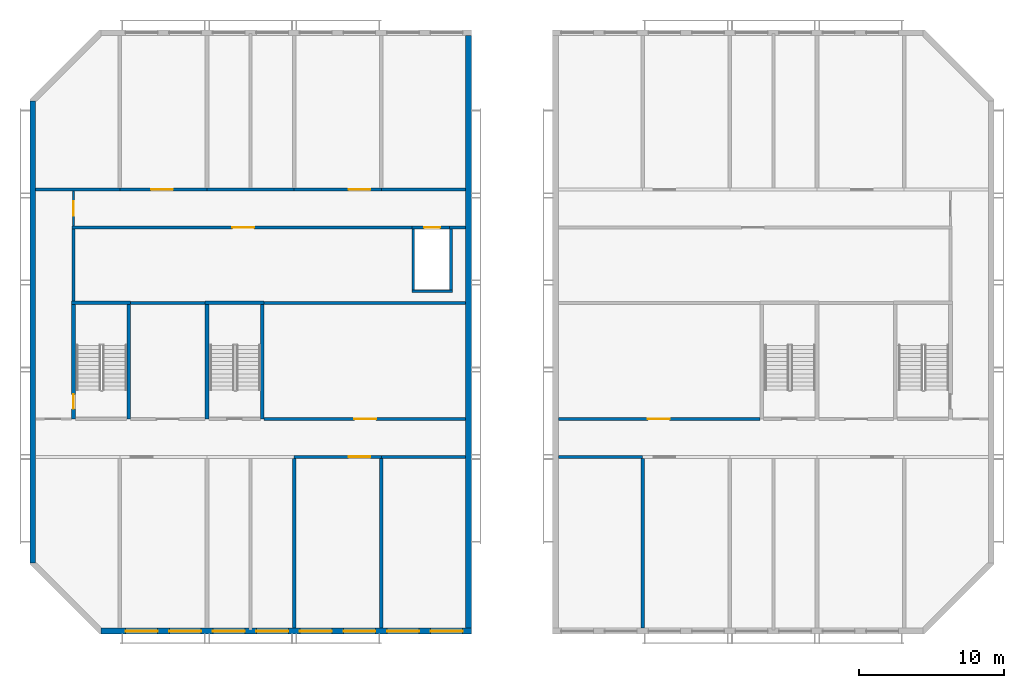
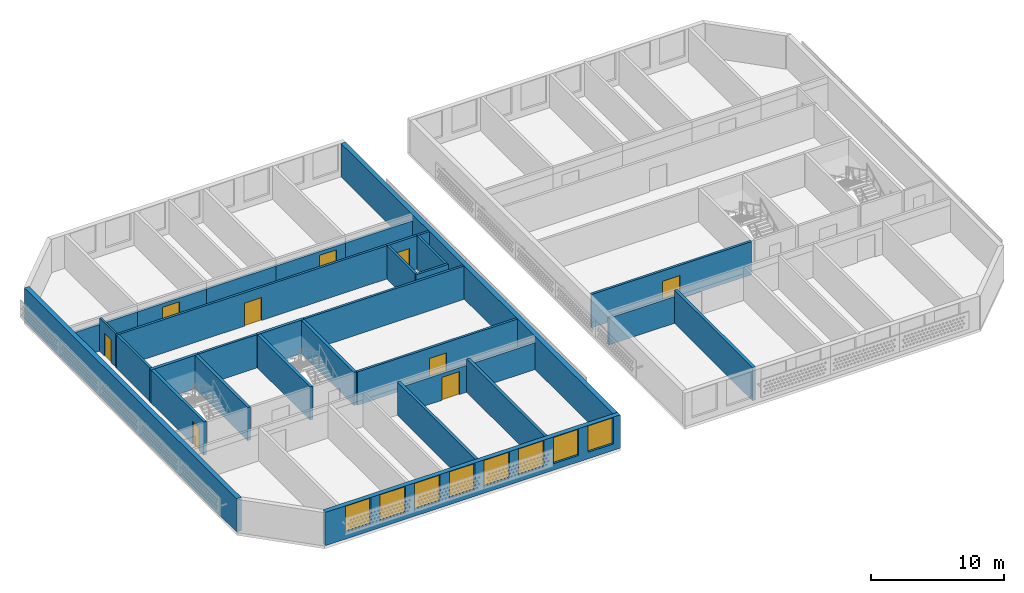
# One storey, part 2 of 18: 32 walls, 9 doors, 8 windows, 17 openings.
"""IFC4 building model written with IfcOpenShell, lengths in metres."""

from ifc_helpers import new_model, si_unit, direction, frame, frame_2d, origin, place, context, subcontext, project, spatial, rectangle, extrude, material, layer, layer_set, type_object, element, fill, save


model = new_model("IFC4")

# Units and contexts
model_context = context("Model", 3, precision=1e-05, world=origin(), true_north=direction((0.0, 1.0)))
body_context = subcontext(model_context, "Body", "Model", "MODEL_VIEW")
ifc_project = project(units=[si_unit("LENGTHUNIT", "METRE"), si_unit("AREAUNIT", "SQUARE_METRE"), si_unit("VOLUMEUNIT", "CUBIC_METRE"), si_unit("PLANEANGLEUNIT", "RADIAN"), si_unit("MASSUNIT", "GRAM", prefix="KILO")], contexts=[model_context])

# Site, building, storey
site_placement = place(None, origin())
site = spatial("IfcSite", under=ifc_project, at=site_placement, CompositionType="ELEMENT")
building_placement = place(site_placement, origin())
building = spatial("IfcBuilding", under=site, at=building_placement, Name="Poui Terraces", CompositionType="ELEMENT")
storey_placement = place(building_placement, frame((0.0, 0.0, 275.699951171875)))
storey = spatial("IfcBuildingStorey", under=building, at=storey_placement, Name="L76 CROWN", CompositionType="ELEMENT", Elevation=275.699951171875)

# Wall, opening, door
ifc_material_1 = material(Name="Fire-rated plasterboard wall")
ifc_layer_1 = layer(ifc_material_1, 0.14990234375)
ifc_layer_set_1 = layer_set([ifc_layer_1], Name="Fire-rated plasterboard wall")
wall_type_1 = type_object("IfcWallType", Name="CORRIDOR WALL 150", PredefinedType="PARTITIONING", material=ifc_layer_set_1)
wall_1_placement = place(storey_placement, frame((20.800048828125, 27.89990234375, 0.0), z_axis=(0.0, 0.0, 1.0), x_axis=(0.0, 1.0, 0.0)))
wall_1 = element("IfcWall", 1, at=wall_1_placement, inside=storey, type_object=wall_type_1, Name="CORRIDOR WALL 150", PredefinedType="PARTITIONING", context=body_context, shape_type="SweptSolid", body=[
    extrude(rectangle(XDim=2.39013671875, YDim=0.14990234375, at=frame_2d((1.195068359375, 0.0))), origin(), (0.0, 0.0, 1.0), 3.050048828125),
])
opening_1_placement = place(wall_1_placement, frame((0.699951171875, 0.0, 0.0)))
opening_1 = element("IfcOpeningElement", 2, at=opening_1_placement, cuts=wall_1, Name="Opening FDL", PredefinedType="OPENING", context=body_context, shape_type="SweptSolid", body=[
    extrude(rectangle(XDim=1.0, YDim=2.10009765625, at=frame_2d((0.5, 1.050048828125))), frame((0.0, 0.0849609375, 0.0), z_axis=(0.0, -1.0, 0.0), x_axis=(1.0, 0.0, 0.0)), (0.0, 0.0, 1.0), 0.169921875),
])
ifc_material_2 = material(Name="Steel fire door", Category="steel")
door_type_1 = type_object("IfcDoorType", Name="LOBBY FIRE DOOR 1000 X 2100", OperationType="NOTDEFINED", PredefinedType="DOOR", material=ifc_material_2)
door_1_placement = place(opening_1_placement, origin())
door_1 = element("IfcDoor", 3, at=door_1_placement, inside=storey, type_object=door_type_1, Name="LOBBY FIRE DOOR 022", OperationType="SINGLE_SWING_LEFT", OverallHeight=2.10009765625, OverallWidth=1.0, PredefinedType="DOOR", context=body_context, shape_type="SweptSolid", body=[
    extrude(rectangle(XDim=1.0, YDim=2.10009765625, at=frame_2d((0.5, 1.050048828125))), frame((0.0, 0.02490234375, 0.0), z_axis=(0.0, -1.0, 0.0), x_axis=(1.0, 0.0, 0.0)), (0.0, 0.0, 1.0), 0.050048828125),
])
fill(opening_1, door_1)

ifc_material_3 = material(Name="Concrete 50 MPa", Category="concrete")
ifc_layer_2 = layer(ifc_material_3, 0.199951171875)
ifc_layer_set_2 = layer_set([ifc_layer_2], Name="Concrete 50 MPa")
wall_type_2 = type_object("IfcWallType", Name="CORRIDOR WALL 200 50MPa", PredefinedType="SHEAR", material=ifc_layer_set_2)
wall_2_placement = place(storey_placement, frame((36.0, 12.0, 0.0), z_axis=(0.0, 0.0, 1.0), x_axis=(1.0, 0.0, 0.0)))
wall_2 = element("IfcWall", 4, at=wall_2_placement, inside=storey, type_object=wall_type_2, Name="CORRIDOR WALL LINE B BAY W4", PredefinedType="SHEAR", context=body_context, shape_type="SweptSolid", body=[
    extrude(rectangle(XDim=6.0, YDim=0.199951171875, at=frame_2d((3.0, 0.0))), origin(), (0.0, 0.0, 1.0), 2.449951171875),
])
opening_2_placement = place(wall_2_placement, frame((3.75, 0.0, 0.0)))
opening_2 = element("IfcOpeningElement", 5, at=opening_2_placement, cuts=wall_2, Name="Opening FDP", PredefinedType="OPENING", context=body_context, shape_type="SweptSolid", body=[
    extrude(rectangle(XDim=1.5, YDim=2.10009765625, at=frame_2d((0.75, 1.050048828125))), frame((0.0, 0.10986328125, 0.0), z_axis=(0.0, -1.0, 0.0), x_axis=(1.0, 0.0, 0.0)), (0.0, 0.0, 1.0), 0.219970703125),
])
door_type_2 = type_object("IfcDoorType", Name="PLANT ROOM DOOR PAIR 1500 X 2100", OperationType="DOUBLE_DOOR_SINGLE_SWING", PredefinedType="DOOR", material=ifc_material_2)
door_2_placement = place(opening_2_placement, origin())
door_2 = element("IfcDoor", 6, at=door_2_placement, inside=storey, type_object=door_type_2, Name="PLANT ROOM DOOR PAIR 018", OperationType="DOUBLE_DOOR_SINGLE_SWING", OverallHeight=2.10009765625, OverallWidth=1.5, PredefinedType="DOOR", context=body_context, shape_type="SweptSolid", body=[
    extrude(rectangle(XDim=1.5, YDim=2.10009765625, at=frame_2d((0.75, 1.050048828125))), frame((0.0, 0.02490234375, 0.0), z_axis=(0.0, -1.0, 0.0), x_axis=(1.0, 0.0, 0.0)), (0.0, 0.0, 1.0), 0.050048828125),
])
fill(opening_2, door_2)

# Walls
for number, where, z_axis, x_axis, name in (
    (7, (42.0, 12.0, 0.0), (0.0, 0.0, 1.0), (1.0, 0.0, 0.0), "CORRIDOR WALL LINE B BAY W5"),
    (8, (18.199951171875, 30.39990234375, 0.0), (0.0, 0.0, 1.0), (1.0, 0.0, 0.0), "CORRIDOR WALL LINE E BAY W1"),
):
    element("IfcWall", number, at=place(storey_placement, frame(where, z_axis=z_axis, x_axis=x_axis)), inside=storey, type_object=wall_type_2, Name=name, PredefinedType="SHEAR", context=body_context, shape_type="SweptSolid", body=[
        extrude(rectangle(XDim=5.800048828125, YDim=0.199951171875, at=frame_2d((2.89990234375, 0.0))), origin(), (0.0, 0.0, 1.0), 2.449951171875),
    ])

# Wall, opening, door
wall_3_placement = place(storey_placement, frame((24.0, 30.39990234375, 0.0), z_axis=(0.0, 0.0, 1.0), x_axis=(1.0, 0.0, 0.0)))
wall_3 = element("IfcWall", 9, at=wall_3_placement, inside=storey, type_object=wall_type_2, Name="CORRIDOR WALL LINE E BAY W2", PredefinedType="SHEAR", context=body_context, shape_type="SweptSolid", body=[
    extrude(rectangle(XDim=6.0, YDim=0.199951171875, at=frame_2d((3.0, 0.0))), origin(), (0.0, 0.0, 1.0), 2.449951171875),
])
opening_3_placement = place(wall_3_placement, frame((2.14990234375, 0.0, 0.0)))
opening_3 = element("IfcOpeningElement", 10, at=opening_3_placement, cuts=wall_3, Name="Opening FDP", PredefinedType="OPENING", context=body_context, shape_type="SweptSolid", body=[
    extrude(rectangle(XDim=1.5, YDim=2.10009765625, at=frame_2d((0.75, 1.050048828125))), frame((0.0, 0.10986328125, 0.0), z_axis=(0.0, -1.0, 0.0), x_axis=(1.0, 0.0, 0.0)), (0.0, 0.0, 1.0), 0.219970703125),
])
door_3_placement = place(opening_3_placement, frame((1.5, 0.0, 0.0), z_axis=(0.0, 0.0, 1.0), x_axis=(-1.0, 0.0, 0.0)))
door_3 = element("IfcDoor", 11, at=door_3_placement, inside=storey, type_object=door_type_2, Name="PLANT ROOM DOOR PAIR 012", OperationType="DOUBLE_DOOR_SINGLE_SWING", OverallHeight=2.10009765625, OverallWidth=1.5, PredefinedType="DOOR", context=body_context, shape_type="SweptSolid", body=[
    extrude(rectangle(XDim=1.5, YDim=2.10009765625, at=frame_2d((0.75, 1.050048828125))), frame((0.0, 0.02490234375, 0.0), z_axis=(0.0, -1.0, 0.0), x_axis=(1.0, 0.0, 0.0)), (0.0, 0.0, 1.0), 0.050048828125),
])
fill(opening_3, door_3)

# Wall
wall_4_placement = place(storey_placement, frame((30.0, 30.39990234375, 0.0), z_axis=(0.0, 0.0, 1.0), x_axis=(1.0, 0.0, 0.0)))
element("IfcWall", 12, at=wall_4_placement, inside=storey, type_object=wall_type_2, Name="CORRIDOR WALL LINE E BAY W3", PredefinedType="SHEAR", context=body_context, shape_type="SweptSolid", body=[
    extrude(rectangle(XDim=6.0, YDim=0.199951171875, at=frame_2d((3.0, 0.0))), origin(), (0.0, 0.0, 1.0), 2.449951171875),
])

# Wall, opening, door
wall_5_placement = place(storey_placement, frame((36.0, 30.39990234375, 0.0), z_axis=(0.0, 0.0, 1.0), x_axis=(1.0, 0.0, 0.0)))
wall_5 = element("IfcWall", 13, at=wall_5_placement, inside=storey, type_object=wall_type_2, Name="CORRIDOR WALL LINE E BAY W4", PredefinedType="SHEAR", context=body_context, shape_type="SweptSolid", body=[
    extrude(rectangle(XDim=6.0, YDim=0.199951171875, at=frame_2d((3.0, 0.0))), origin(), (0.0, 0.0, 1.0), 2.449951171875),
])
opening_4_placement = place(wall_5_placement, frame((3.75, 0.0, 0.0)))
opening_4 = element("IfcOpeningElement", 14, at=opening_4_placement, cuts=wall_5, Name="Opening FDP", PredefinedType="OPENING", context=body_context, shape_type="SweptSolid", body=[
    extrude(rectangle(XDim=1.5, YDim=2.10009765625, at=frame_2d((0.75, 1.050048828125))), frame((0.0, 0.10986328125, 0.0), z_axis=(0.0, -1.0, 0.0), x_axis=(1.0, 0.0, 0.0)), (0.0, 0.0, 1.0), 0.219970703125),
])
door_4_placement = place(opening_4_placement, frame((1.5, 0.0, 0.0), z_axis=(0.0, 0.0, 1.0), x_axis=(-1.0, 0.0, 0.0)))
door_4 = element("IfcDoor", 15, at=door_4_placement, inside=storey, type_object=door_type_2, Name="PLANT ROOM DOOR PAIR 014", OperationType="DOUBLE_DOOR_SINGLE_SWING", OverallHeight=2.10009765625, OverallWidth=1.5, PredefinedType="DOOR", context=body_context, shape_type="SweptSolid", body=[
    extrude(rectangle(XDim=1.5, YDim=2.10009765625, at=frame_2d((0.75, 1.050048828125))), frame((0.0, 0.02490234375, 0.0), z_axis=(0.0, -1.0, 0.0), x_axis=(1.0, 0.0, 0.0)), (0.0, 0.0, 1.0), 0.050048828125),
])
fill(opening_4, door_4)

# Walls
for number, where, z_axis, x_axis, name in (
    (16, (42.0, 30.39990234375, 0.0), (0.0, 0.0, 1.0), (1.0, 0.0, 0.0), "CORRIDOR WALL LINE E BAY W5"),
    (17, (54.199951171875, 12.0, 0.0), (0.0, 0.0, 1.0), (1.0, 0.0, 0.0), "CORRIDOR WALL LINE B BAY E1"),
):
    element("IfcWall", number, at=place(storey_placement, frame(where, z_axis=z_axis, x_axis=x_axis)), inside=storey, type_object=wall_type_2, Name=name, PredefinedType="SHEAR", context=body_context, shape_type="SweptSolid", body=[
        extrude(rectangle(XDim=5.800048828125, YDim=0.199951171875, at=frame_2d((2.89990234375, 0.0))), origin(), (0.0, 0.0, 1.0), 2.449951171875),
    ])
ifc_layer_3 = layer(ifc_material_3, 0.25)
ifc_layer_set_3 = layer_set([ifc_layer_3], Name="Concrete 50 MPa")
wall_type_3 = type_object("IfcWallType", Name="CROSS WALL 250 50MPa", PredefinedType="SHEAR", material=ifc_layer_set_3)
for number, where, z_axis, x_axis, name in (
    (18, (36.0, 0.199951171875, 0.0), (0.0, 0.0, 1.0), (0.0, 1.0, 0.0), "CROSS WALL LINE 7 SOUTH"),
    (19, (42.0, 0.199951171875, 0.0), (0.0, 0.0, 1.0), (0.0, 1.0, 0.0), "CROSS WALL LINE 8 SOUTH"),
    (20, (60.0, 0.199951171875, 0.0), (0.0, 0.0, 1.0), (0.0, 1.0, 0.0), "CROSS WALL LINE 11 SOUTH"),
):
    element("IfcWall", number, at=place(storey_placement, frame(where, z_axis=z_axis, x_axis=x_axis)), inside=storey, type_object=wall_type_3, Name=name, PredefinedType="SHEAR", context=body_context, shape_type="SweptSolid", body=[
        extrude(rectangle(XDim=11.699951171875, YDim=0.25, at=frame_2d((5.85009765625, 0.0))), origin(), (0.0, 0.0, 1.0), 3.050048828125),
    ])
ifc_layer_4 = layer(ifc_material_3, 0.39990234375)
ifc_layer_set_4 = layer_set([ifc_layer_4], Name="Concrete 50 MPa")
wall_type_4 = type_object("IfcWallType", Name="END WALL 400 50MPa", PredefinedType="SHEAR", material=ifc_layer_set_4)
wall_6_placement = place(storey_placement, frame((18.0, 4.682861328125, 0.0), z_axis=(0.0, 0.0, 1.0), x_axis=(0.0, 1.0, 0.0)))
element("IfcWall", 21, at=wall_6_placement, inside=storey, type_object=wall_type_4, Name="END WALL LINE 4", PredefinedType="SHEAR", context=body_context, shape_type="SweptSolid", body=[
    extrude(rectangle(XDim=31.834228515625, YDim=0.39990234375, at=frame_2d((15.9169921875, 0.0))), origin(), (0.0, 0.0, 1.0), 3.050048828125),
])
wall_7_placement = place(storey_placement, frame((48.0, 0.199951171875, 0.0), z_axis=(0.0, 0.0, 1.0), x_axis=(0.0, 1.0, 0.0)))
element("IfcWall", 22, at=wall_7_placement, inside=storey, type_object=wall_type_4, Name="END WALL LINE 9", PredefinedType="SHEAR", context=body_context, shape_type="SweptSolid", body=[
    extrude(rectangle(XDim=40.800048828125, YDim=0.39990234375, at=frame_2d((20.39990234375, 0.0))), origin(), (0.0, 0.0, 1.0), 3.050048828125),
])

# Wall, openings, windows
ifc_material_4 = material(Name="Precast concrete 40 MPa", Category="concrete")
ifc_layer_5 = layer(ifc_material_4, 0.39990234375)
ifc_layer_set_5 = layer_set([ifc_layer_5], Name="Precast concrete 40 MPa")
wall_type_5 = type_object("IfcWallType", Name="EXTERNAL WALL 400", PredefinedType="STANDARD", material=ifc_layer_set_5)
wall_8_placement = place(storey_placement, frame((22.682861328125, 0.0, 0.0), z_axis=(0.0, 0.0, 1.0), x_axis=(1.0, 0.0, 0.0)))
wall_8 = element("IfcWall", 23, at=wall_8_placement, inside=storey, type_object=wall_type_5, Name="EXTERNAL WALL S", PredefinedType="STANDARD", context=body_context, shape_type="SweptSolid", body=[
    extrude(rectangle(XDim=25.51708984375, YDim=0.39990234375, at=frame_2d((12.758544921875, 0.0))), origin(), (0.0, 0.0, 1.0), 3.050048828125),
])
opening_5_placement = place(wall_8_placement, frame((1.71728515625, 0.0, 0.60009765625)))
opening_5 = element("IfcOpeningElement", 24, at=opening_5_placement, cuts=wall_8, Name="Opening W5", PredefinedType="OPENING", context=body_context, shape_type="SweptSolid", body=[
    extrude(rectangle(XDim=2.199951171875, YDim=2.39990234375, at=frame_2d((1.10009765625, 1.199951171875))), frame((0.0, 0.2099609375, 0.0), z_axis=(0.0, -1.0, 0.0), x_axis=(1.0, 0.0, 0.0)), (0.0, 0.0, 1.0), 0.419921875),
])
opening_6_placement = place(wall_8_placement, frame((4.71728515625, 0.0, 0.60009765625)))
opening_6 = element("IfcOpeningElement", 25, at=opening_6_placement, cuts=wall_8, Name="Opening W5", PredefinedType="OPENING", context=body_context, shape_type="SweptSolid", body=[
    extrude(rectangle(XDim=2.199951171875, YDim=2.39990234375, at=frame_2d((1.10009765625, 1.199951171875))), frame((0.0, 0.2099609375, 0.0), z_axis=(0.0, -1.0, 0.0), x_axis=(1.0, 0.0, 0.0)), (0.0, 0.0, 1.0), 0.419921875),
])
opening_7_placement = place(wall_8_placement, frame((7.71728515625, 0.0, 0.60009765625)))
opening_7 = element("IfcOpeningElement", 26, at=opening_7_placement, cuts=wall_8, Name="Opening W5", PredefinedType="OPENING", context=body_context, shape_type="SweptSolid", body=[
    extrude(rectangle(XDim=2.199951171875, YDim=2.39990234375, at=frame_2d((1.10009765625, 1.199951171875))), frame((0.0, 0.2099609375, 0.0), z_axis=(0.0, -1.0, 0.0), x_axis=(1.0, 0.0, 0.0)), (0.0, 0.0, 1.0), 0.419921875),
])
opening_8_placement = place(wall_8_placement, frame((10.71728515625, 0.0, 0.60009765625)))
opening_8 = element("IfcOpeningElement", 27, at=opening_8_placement, cuts=wall_8, Name="Opening W5", PredefinedType="OPENING", context=body_context, shape_type="SweptSolid", body=[
    extrude(rectangle(XDim=2.199951171875, YDim=2.39990234375, at=frame_2d((1.10009765625, 1.199951171875))), frame((0.0, 0.2099609375, 0.0), z_axis=(0.0, -1.0, 0.0), x_axis=(1.0, 0.0, 0.0)), (0.0, 0.0, 1.0), 0.419921875),
])
opening_9_placement = place(wall_8_placement, frame((13.71728515625, 0.0, 0.60009765625)))
opening_9 = element("IfcOpeningElement", 28, at=opening_9_placement, cuts=wall_8, Name="Opening W5", PredefinedType="OPENING", context=body_context, shape_type="SweptSolid", body=[
    extrude(rectangle(XDim=2.199951171875, YDim=2.39990234375, at=frame_2d((1.10009765625, 1.199951171875))), frame((0.0, 0.2099609375, 0.0), z_axis=(0.0, -1.0, 0.0), x_axis=(1.0, 0.0, 0.0)), (0.0, 0.0, 1.0), 0.419921875),
])
opening_10_placement = place(wall_8_placement, frame((16.71728515625, 0.0, 0.60009765625)))
opening_10 = element("IfcOpeningElement", 29, at=opening_10_placement, cuts=wall_8, Name="Opening W5", PredefinedType="OPENING", context=body_context, shape_type="SweptSolid", body=[
    extrude(rectangle(XDim=2.199951171875, YDim=2.39990234375, at=frame_2d((1.10009765625, 1.199951171875))), frame((0.0, 0.2099609375, 0.0), z_axis=(0.0, -1.0, 0.0), x_axis=(1.0, 0.0, 0.0)), (0.0, 0.0, 1.0), 0.419921875),
])
opening_11_placement = place(wall_8_placement, frame((19.71728515625, 0.0, 0.60009765625)))
opening_11 = element("IfcOpeningElement", 30, at=opening_11_placement, cuts=wall_8, Name="Opening W5", PredefinedType="OPENING", context=body_context, shape_type="SweptSolid", body=[
    extrude(rectangle(XDim=2.199951171875, YDim=2.39990234375, at=frame_2d((1.10009765625, 1.199951171875))), frame((0.0, 0.2099609375, 0.0), z_axis=(0.0, -1.0, 0.0), x_axis=(1.0, 0.0, 0.0)), (0.0, 0.0, 1.0), 0.419921875),
])
opening_12_placement = place(wall_8_placement, frame((22.71728515625, 0.0, 0.60009765625)))
opening_12 = element("IfcOpeningElement", 31, at=opening_12_placement, cuts=wall_8, Name="Opening W5", PredefinedType="OPENING", context=body_context, shape_type="SweptSolid", body=[
    extrude(rectangle(XDim=2.199951171875, YDim=2.39990234375, at=frame_2d((1.10009765625, 1.199951171875))), frame((0.0, 0.2099609375, 0.0), z_axis=(0.0, -1.0, 0.0), x_axis=(1.0, 0.0, 0.0)), (0.0, 0.0, 1.0), 0.419921875),
])
ifc_material_5 = material(Name="Clear glass in aluminium frame", Category="aluminium")
window_type = type_object("IfcWindowType", Name="WINDOW 2200X2400", PartitioningType="TRIPLE_PANEL_HORIZONTAL", PredefinedType="WINDOW", material=ifc_material_5)
window_1_placement = place(opening_5_placement, origin())
window_1 = element("IfcWindow", 32, at=window_1_placement, inside=storey, type_object=window_type, Name="W5 WINDOW", OverallHeight=2.39990234375, OverallWidth=2.199951171875, PartitioningType="TRIPLE_PANEL_HORIZONTAL", PredefinedType="WINDOW", context=body_context, shape_type="SweptSolid", body=[
    extrude(rectangle(XDim=2.199951171875, YDim=2.39990234375, at=frame_2d((1.10009765625, 1.199951171875))), frame((0.0, 0.030029296875, 0.0), z_axis=(0.0, -1.0, 0.0), x_axis=(1.0, 0.0, 0.0)), (0.0, 0.0, 1.0), 0.06005859375),
])
fill(opening_5, window_1)
window_2_placement = place(opening_6_placement, origin())
window_2 = element("IfcWindow", 33, at=window_2_placement, inside=storey, type_object=window_type, Name="W5 WINDOW", OverallHeight=2.39990234375, OverallWidth=2.199951171875, PartitioningType="TRIPLE_PANEL_HORIZONTAL", PredefinedType="WINDOW", context=body_context, shape_type="SweptSolid", body=[
    extrude(rectangle(XDim=2.199951171875, YDim=2.39990234375, at=frame_2d((1.10009765625, 1.199951171875))), frame((0.0, 0.030029296875, 0.0), z_axis=(0.0, -1.0, 0.0), x_axis=(1.0, 0.0, 0.0)), (0.0, 0.0, 1.0), 0.06005859375),
])
fill(opening_6, window_2)
window_3_placement = place(opening_7_placement, origin())
window_3 = element("IfcWindow", 34, at=window_3_placement, inside=storey, type_object=window_type, Name="W5 WINDOW", OverallHeight=2.39990234375, OverallWidth=2.199951171875, PartitioningType="TRIPLE_PANEL_HORIZONTAL", PredefinedType="WINDOW", context=body_context, shape_type="SweptSolid", body=[
    extrude(rectangle(XDim=2.199951171875, YDim=2.39990234375, at=frame_2d((1.10009765625, 1.199951171875))), frame((0.0, 0.030029296875, 0.0), z_axis=(0.0, -1.0, 0.0), x_axis=(1.0, 0.0, 0.0)), (0.0, 0.0, 1.0), 0.06005859375),
])
fill(opening_7, window_3)
window_4_placement = place(opening_8_placement, origin())
window_4 = element("IfcWindow", 35, at=window_4_placement, inside=storey, type_object=window_type, Name="W5 WINDOW", OverallHeight=2.39990234375, OverallWidth=2.199951171875, PartitioningType="TRIPLE_PANEL_HORIZONTAL", PredefinedType="WINDOW", context=body_context, shape_type="SweptSolid", body=[
    extrude(rectangle(XDim=2.199951171875, YDim=2.39990234375, at=frame_2d((1.10009765625, 1.199951171875))), frame((0.0, 0.030029296875, 0.0), z_axis=(0.0, -1.0, 0.0), x_axis=(1.0, 0.0, 0.0)), (0.0, 0.0, 1.0), 0.06005859375),
])
fill(opening_8, window_4)
window_5_placement = place(opening_9_placement, origin())
window_5 = element("IfcWindow", 36, at=window_5_placement, inside=storey, type_object=window_type, Name="W5 WINDOW", OverallHeight=2.39990234375, OverallWidth=2.199951171875, PartitioningType="TRIPLE_PANEL_HORIZONTAL", PredefinedType="WINDOW", context=body_context, shape_type="SweptSolid", body=[
    extrude(rectangle(XDim=2.199951171875, YDim=2.39990234375, at=frame_2d((1.10009765625, 1.199951171875))), frame((0.0, 0.030029296875, 0.0), z_axis=(0.0, -1.0, 0.0), x_axis=(1.0, 0.0, 0.0)), (0.0, 0.0, 1.0), 0.06005859375),
])
fill(opening_9, window_5)
window_6_placement = place(opening_10_placement, origin())
window_6 = element("IfcWindow", 37, at=window_6_placement, inside=storey, type_object=window_type, Name="W5 WINDOW", OverallHeight=2.39990234375, OverallWidth=2.199951171875, PartitioningType="TRIPLE_PANEL_HORIZONTAL", PredefinedType="WINDOW", context=body_context, shape_type="SweptSolid", body=[
    extrude(rectangle(XDim=2.199951171875, YDim=2.39990234375, at=frame_2d((1.10009765625, 1.199951171875))), frame((0.0, 0.030029296875, 0.0), z_axis=(0.0, -1.0, 0.0), x_axis=(1.0, 0.0, 0.0)), (0.0, 0.0, 1.0), 0.06005859375),
])
fill(opening_10, window_6)
window_7_placement = place(opening_11_placement, origin())
window_7 = element("IfcWindow", 38, at=window_7_placement, inside=storey, type_object=window_type, Name="W5 WINDOW", OverallHeight=2.39990234375, OverallWidth=2.199951171875, PartitioningType="TRIPLE_PANEL_HORIZONTAL", PredefinedType="WINDOW", context=body_context, shape_type="SweptSolid", body=[
    extrude(rectangle(XDim=2.199951171875, YDim=2.39990234375, at=frame_2d((1.10009765625, 1.199951171875))), frame((0.0, 0.030029296875, 0.0), z_axis=(0.0, -1.0, 0.0), x_axis=(1.0, 0.0, 0.0)), (0.0, 0.0, 1.0), 0.06005859375),
])
fill(opening_11, window_7)
window_8_placement = place(opening_12_placement, origin())
window_8 = element("IfcWindow", 39, at=window_8_placement, inside=storey, type_object=window_type, Name="W5 WINDOW", OverallHeight=2.39990234375, OverallWidth=2.199951171875, PartitioningType="TRIPLE_PANEL_HORIZONTAL", PredefinedType="WINDOW", context=body_context, shape_type="SweptSolid", body=[
    extrude(rectangle(XDim=2.199951171875, YDim=2.39990234375, at=frame_2d((1.10009765625, 1.199951171875))), frame((0.0, 0.030029296875, 0.0), z_axis=(0.0, -1.0, 0.0), x_axis=(1.0, 0.0, 0.0)), (0.0, 0.0, 1.0), 0.06005859375),
])
fill(opening_12, window_8)

# Wall, opening, door
ifc_material_6 = material(Name="Fire-rated masonry wall", Category="masonry")
ifc_layer_6 = layer(ifc_material_6, 0.199951171875)
ifc_layer_set_6 = layer_set([ifc_layer_6], Name="Fire-rated masonry wall")
wall_type_6 = type_object("IfcWallType", Name="PLANT ROOM WALL 200", PredefinedType="PARTITIONING", material=ifc_layer_set_6)
wall_9_placement = place(storey_placement, frame((33.93505859375, 14.60009765625, 0.0), z_axis=(0.0, 0.0, 1.0), x_axis=(1.0, 0.0, 0.0)))
wall_9 = element("IfcWall", 40, at=wall_9_placement, inside=storey, type_object=wall_type_6, Name="PLANT ROOM WALL 200", PredefinedType="PARTITIONING", context=body_context, shape_type="SweptSolid", body=[
    extrude(rectangle(XDim=13.85498046875, YDim=0.199951171875, at=frame_2d((6.927490234375, 0.0))), origin(), (0.0, 0.0, 1.0), 3.050048828125),
])
opening_13_placement = place(wall_9_placement, frame((6.215087890625, 0.0, 0.0)))
opening_13 = element("IfcOpeningElement", 41, at=opening_13_placement, cuts=wall_9, Name="Opening FDP", PredefinedType="OPENING", context=body_context, shape_type="SweptSolid", body=[
    extrude(rectangle(XDim=1.5, YDim=2.10009765625, at=frame_2d((0.75, 1.050048828125))), frame((0.0, 0.10986328125, 0.0), z_axis=(0.0, -1.0, 0.0), x_axis=(1.0, 0.0, 0.0)), (0.0, 0.0, 1.0), 0.219970703125),
])
door_5_placement = place(opening_13_placement, frame((1.5, 0.0, 0.0), z_axis=(0.0, 0.0, 1.0), x_axis=(-1.0, 0.0, 0.0)))
door_5 = element("IfcDoor", 42, at=door_5_placement, inside=storey, type_object=door_type_2, Name="PLANT ROOM DOOR PAIR 019", OperationType="DOUBLE_DOOR_SINGLE_SWING", OverallHeight=2.10009765625, OverallWidth=1.5, PredefinedType="DOOR", context=body_context, shape_type="SweptSolid", body=[
    extrude(rectangle(XDim=1.5, YDim=2.10009765625, at=frame_2d((0.75, 1.050048828125))), frame((0.0, 0.02490234375, 0.0), z_axis=(0.0, -1.0, 0.0), x_axis=(1.0, 0.0, 0.0)), (0.0, 0.0, 1.0), 0.050048828125),
])
fill(opening_13, door_5)

wall_10_placement = place(storey_placement, frame((54.2099609375, 14.60009765625, 0.0), z_axis=(0.0, 0.0, 1.0), x_axis=(1.0, 0.0, 0.0)))
wall_10 = element("IfcWall", 43, at=wall_10_placement, inside=storey, type_object=wall_type_6, Name="PLANT ROOM WALL 200", PredefinedType="PARTITIONING", context=body_context, shape_type="SweptSolid", body=[
    extrude(rectangle(XDim=13.85498046875, YDim=0.199951171875, at=frame_2d((6.927490234375, 0.0))), origin(), (0.0, 0.0, 1.0), 3.050048828125),
])
opening_14_placement = place(wall_10_placement, frame((6.139892578125, 0.0, 0.0)))
opening_14 = element("IfcOpeningElement", 44, at=opening_14_placement, cuts=wall_10, Name="Opening FDP", PredefinedType="OPENING", context=body_context, shape_type="SweptSolid", body=[
    extrude(rectangle(XDim=1.5, YDim=2.10009765625, at=frame_2d((0.75, 1.050048828125))), frame((0.0, 0.10986328125, 0.0), z_axis=(0.0, -1.0, 0.0), x_axis=(1.0, 0.0, 0.0)), (0.0, 0.0, 1.0), 0.219970703125),
])
door_6_placement = place(opening_14_placement, frame((1.5, 0.0, 0.0), z_axis=(0.0, 0.0, 1.0), x_axis=(-1.0, 0.0, 0.0)))
door_6 = element("IfcDoor", 45, at=door_6_placement, inside=storey, type_object=door_type_2, Name="PLANT ROOM DOOR PAIR 004", OperationType="DOUBLE_DOOR_SINGLE_SWING", OverallHeight=2.10009765625, OverallWidth=1.5, PredefinedType="DOOR", context=body_context, shape_type="SweptSolid", body=[
    extrude(rectangle(XDim=1.5, YDim=2.10009765625, at=frame_2d((0.75, 1.050048828125))), frame((0.0, 0.02490234375, 0.0), z_axis=(0.0, -1.0, 0.0), x_axis=(1.0, 0.0, 0.0)), (0.0, 0.0, 1.0), 0.050048828125),
])
fill(opening_14, door_6)

# Walls
wall_11_placement = place(storey_placement, frame((24.735107421875, 22.60009765625, 0.0), z_axis=(0.0, 0.0, 1.0), x_axis=(1.0, 0.0, 0.0)))
element("IfcWall", 46, at=wall_11_placement, inside=storey, type_object=wall_type_6, Name="PLANT ROOM WALL 200", PredefinedType="PARTITIONING", context=body_context, shape_type="SweptSolid", body=[
    extrude(rectangle(XDim=5.1298828125, YDim=0.199951171875, at=frame_2d((2.56494140625, 0.0))), origin(), (0.0, 0.0, 1.0), 3.050048828125),
])
wall_12_placement = place(storey_placement, frame((33.93505859375, 22.60009765625, 0.0), z_axis=(0.0, 0.0, 1.0), x_axis=(1.0, 0.0, 0.0)))
element("IfcWall", 47, at=wall_12_placement, inside=storey, type_object=wall_type_6, Name="PLANT ROOM WALL 200", PredefinedType="PARTITIONING", context=body_context, shape_type="SweptSolid", body=[
    extrude(rectangle(XDim=13.85498046875, YDim=0.199951171875, at=frame_2d((6.927490234375, 0.0))), origin(), (0.0, 0.0, 1.0), 3.050048828125),
])

# Wall, opening, door
wall_13_placement = place(storey_placement, frame((20.699951171875, 27.800048828125, 0.0), z_axis=(0.0, 0.0, 1.0), x_axis=(1.0, 0.0, 0.0)))
wall_13 = element("IfcWall", 48, at=wall_13_placement, inside=storey, type_object=wall_type_6, Name="PLANT ROOM WALL 200", PredefinedType="PARTITIONING", context=body_context, shape_type="SweptSolid", body=[
    extrude(rectangle(XDim=23.60009765625, YDim=0.199951171875, at=frame_2d((11.800048828125, 0.0))), origin(), (0.0, 0.0, 1.0), 3.050048828125),
])
opening_15_placement = place(wall_13_placement, frame((11.050048828125, 0.0, 0.0)))
opening_15 = element("IfcOpeningElement", 49, at=opening_15_placement, cuts=wall_13, Name="Opening FDP", PredefinedType="OPENING", context=body_context, shape_type="SweptSolid", body=[
    extrude(rectangle(XDim=1.5, YDim=2.10009765625, at=frame_2d((0.75, 1.050048828125))), frame((0.0, 0.10986328125, 0.0), z_axis=(0.0, -1.0, 0.0), x_axis=(1.0, 0.0, 0.0)), (0.0, 0.0, 1.0), 0.219970703125),
])
door_7_placement = place(opening_15_placement, origin())
door_7 = element("IfcDoor", 50, at=door_7_placement, inside=storey, type_object=door_type_2, Name="PLANT ROOM DOOR PAIR 013", OperationType="DOUBLE_DOOR_SINGLE_SWING", OverallHeight=2.10009765625, OverallWidth=1.5, PredefinedType="DOOR", context=body_context, shape_type="SweptSolid", body=[
    extrude(rectangle(XDim=1.5, YDim=2.10009765625, at=frame_2d((0.75, 1.050048828125))), frame((0.0, 0.02490234375, 0.0), z_axis=(0.0, -1.0, 0.0), x_axis=(1.0, 0.0, 0.0)), (0.0, 0.0, 1.0), 0.050048828125),
])
fill(opening_15, door_7)

# Walls
wall_14_placement = place(storey_placement, frame((46.699951171875, 27.800048828125, 0.0), z_axis=(0.0, 0.0, 1.0), x_axis=(1.0, 0.0, 0.0)))
element("IfcWall", 51, at=wall_14_placement, inside=storey, type_object=wall_type_6, Name="PLANT ROOM WALL 200", PredefinedType="PARTITIONING", context=body_context, shape_type="SweptSolid", body=[
    extrude(rectangle(XDim=1.090087890625, YDim=0.199951171875, at=frame_2d((0.544921875, 0.0))), origin(), (0.0, 0.0, 1.0), 3.050048828125),
])
wall_15_placement = place(storey_placement, frame((20.800048828125, 22.735107421875, 0.0), z_axis=(0.0, 0.0, 1.0), x_axis=(0.0, 1.0, 0.0)))
element("IfcWall", 52, at=wall_15_placement, inside=storey, type_object=wall_type_6, Name="PLANT ROOM WALL 200", PredefinedType="PARTITIONING", context=body_context, shape_type="SweptSolid", body=[
    extrude(rectangle(XDim=4.96484375, YDim=0.199951171875, at=frame_2d((2.482421875, 0.0))), origin(), (0.0, 0.0, 1.0), 3.050048828125),
])
ifc_material_7 = material(Name="Fire-rated masonry shaft wall", Category="masonry")
ifc_layer_7 = layer(ifc_material_7, 0.199951171875)
ifc_layer_set_7 = layer_set([ifc_layer_7], Name="Fire-rated masonry shaft wall")
wall_type_7 = type_object("IfcWallType", Name="SHAFT WALL 200", PredefinedType="PARTITIONING", material=ifc_layer_set_7)
wall_16_placement = place(storey_placement, frame((44.10009765625, 23.39990234375, 0.0), z_axis=(0.0, 0.0, 1.0), x_axis=(1.0, 0.0, 0.0)))
element("IfcWall", 53, at=wall_16_placement, inside=storey, type_object=wall_type_7, Name="SHAFT WALL 200", PredefinedType="PARTITIONING", context=body_context, shape_type="SweptSolid", body=[
    extrude(rectangle(XDim=2.7998046875, YDim=0.199951171875, at=frame_2d((1.39990234375, 0.0))), origin(), (0.0, 0.0, 1.0), 3.050048828125),
])

# Wall, opening, door
wall_17_placement = place(storey_placement, frame((44.10009765625, 27.800048828125, 0.0), z_axis=(0.0, 0.0, 1.0), x_axis=(1.0, 0.0, 0.0)))
wall_17 = element("IfcWall", 54, at=wall_17_placement, inside=storey, type_object=wall_type_7, Name="SHAFT WALL 200", PredefinedType="PARTITIONING", context=body_context, shape_type="SweptSolid", body=[
    extrude(rectangle(XDim=2.7998046875, YDim=0.199951171875, at=frame_2d((1.39990234375, 0.0))), origin(), (0.0, 0.0, 1.0), 3.050048828125),
])
opening_16_placement = place(wall_17_placement, frame((0.85009765625, 0.0, 0.0)))
opening_16 = element("IfcOpeningElement", 55, at=opening_16_placement, cuts=wall_17, Name="Opening LD", PredefinedType="OPENING", context=body_context, shape_type="SweptSolid", body=[
    extrude(rectangle(XDim=1.10009765625, YDim=2.10009765625, at=frame_2d((0.550048828125, 1.050048828125))), frame((0.0, 0.10986328125, 0.0), z_axis=(0.0, -1.0, 0.0), x_axis=(1.0, 0.0, 0.0)), (0.0, 0.0, 1.0), 0.219970703125),
])
ifc_material_8 = material(Name="Stainless steel sliding door", Category="steel")
door_type_3 = type_object("IfcDoorType", Name="LIFT LANDING DOOR 1100 X 2100", OperationType="DOUBLE_DOOR_SLIDING", PredefinedType="DOOR", material=ifc_material_8)
door_8_placement = place(opening_16_placement, origin())
door_8 = element("IfcDoor", 56, at=door_8_placement, inside=storey, type_object=door_type_3, Name="LANDING DOOR", OperationType="DOUBLE_DOOR_SLIDING", OverallHeight=2.10009765625, OverallWidth=1.10009765625, PredefinedType="DOOR", context=body_context, shape_type="SweptSolid", body=[
    extrude(rectangle(XDim=1.10009765625, YDim=2.10009765625, at=frame_2d((0.550048828125, 1.050048828125))), frame((0.0, 0.02490234375, 0.0), z_axis=(0.0, -1.0, 0.0), x_axis=(1.0, 0.0, 0.0)), (0.0, 0.0, 1.0), 0.050048828125),
])
fill(opening_16, door_8)

# Walls
for number, where, z_axis, x_axis, name in (
    (57, (44.199951171875, 23.5, 0.0), (0.0, 0.0, 1.0), (0.0, 1.0, 0.0), "SHAFT WALL 200"),
    (58, (46.800048828125, 23.5, 0.0), (0.0, 0.0, 1.0), (0.0, 1.0, 0.0), "SHAFT WALL 200"),
):
    element("IfcWall", number, at=place(storey_placement, frame(where, z_axis=z_axis, x_axis=x_axis)), inside=storey, type_object=wall_type_7, Name=name, PredefinedType="PARTITIONING", context=body_context, shape_type="SweptSolid", body=[
        extrude(rectangle(XDim=4.199951171875, YDim=0.199951171875, at=frame_2d((2.10009765625, 0.0))), origin(), (0.0, 0.0, 1.0), 3.050048828125),
    ])

# Wall, opening, door
ifc_layer_8 = layer(ifc_material_3, 0.25)
ifc_layer_set_8 = layer_set([ifc_layer_8], Name="Concrete 50 MPa")
wall_type_8 = type_object("IfcWallType", Name="STAIR CORE WALL 250 50 MPA", PredefinedType="SOLIDWALL", material=ifc_layer_set_8)
wall_18_placement = place(storey_placement, frame((20.800048828125, 14.60009765625, 0.0), z_axis=(0.0, 0.0, 1.0), x_axis=(0.0, 1.0, 0.0)))
wall_18 = element("IfcWall", 59, at=wall_18_placement, inside=storey, type_object=wall_type_8, Name="STAIR CORE WALL", PredefinedType="SOLIDWALL", context=body_context, shape_type="SweptSolid", body=[
    extrude(rectangle(XDim=7.875, YDim=0.25, at=frame_2d((3.9375, 0.0))), origin(), (0.0, 0.0, 1.0), 3.050048828125),
])
opening_17_placement = place(wall_18_placement, frame((0.699951171875, 0.0, 0.0)))
opening_17 = element("IfcOpeningElement", 60, at=opening_17_placement, cuts=wall_18, Name="Opening FD60S", PredefinedType="OPENING", context=body_context, shape_type="SweptSolid", body=[
    extrude(rectangle(XDim=1.0, YDim=2.10009765625, at=frame_2d((0.5, 1.050048828125))), frame((0.0, 0.135009765625, 0.0), z_axis=(0.0, -1.0, 0.0), x_axis=(1.0, 0.0, 0.0)), (0.0, 0.0, 1.0), 0.27001953125),
])
door_type_4 = type_object("IfcDoorType", Name="STAIR DOOR 1000 X 2100", OperationType="NOTDEFINED", PredefinedType="DOOR", material=ifc_material_2)
door_9_placement = place(opening_17_placement, frame((1.0, 0.0, 0.0), z_axis=(0.0, 0.0, 1.0), x_axis=(-1.0, 0.0, 0.0)))
door_9 = element("IfcDoor", 61, at=door_9_placement, inside=storey, type_object=door_type_4, Name="STAIR DOOR 021", OperationType="SINGLE_SWING_RIGHT", OverallHeight=2.10009765625, OverallWidth=1.0, PredefinedType="DOOR", context=body_context, shape_type="SweptSolid", body=[
    extrude(rectangle(XDim=1.0, YDim=2.10009765625, at=frame_2d((0.5, 1.050048828125))), frame((0.0, 0.02490234375, 0.0), z_axis=(0.0, -1.0, 0.0), x_axis=(1.0, 0.0, 0.0)), (0.0, 0.0, 1.0), 0.050048828125),
])
fill(opening_17, door_9)

# Walls
wall_19_placement = place(storey_placement, frame((24.60009765625, 14.60009765625, 0.0), z_axis=(0.0, 0.0, 1.0), x_axis=(0.0, 1.0, 0.0)))
element("IfcWall", 62, at=wall_19_placement, inside=storey, type_object=wall_type_8, Name="STAIR CORE WALL", PredefinedType="SOLIDWALL", context=body_context, shape_type="SweptSolid", body=[
    extrude(rectangle(XDim=7.875, YDim=0.25, at=frame_2d((3.9375, 0.0))), origin(), (0.0, 0.0, 1.0), 3.050048828125),
])
wall_20_placement = place(storey_placement, frame((20.675048828125, 22.60009765625, 0.0), z_axis=(0.0, 0.0, 1.0), x_axis=(1.0, 0.0, 0.0)))
element("IfcWall", 63, at=wall_20_placement, inside=storey, type_object=wall_type_8, Name="STAIR CORE WALL", PredefinedType="SOLIDWALL", context=body_context, shape_type="SweptSolid", body=[
    extrude(rectangle(XDim=4.050048828125, YDim=0.25, at=frame_2d((2.02490234375, 0.0))), origin(), (0.0, 0.0, 1.0), 3.050048828125),
])
for number, where, z_axis, x_axis, name in (
    (64, (30.0, 14.60009765625, 0.0), (0.0, 0.0, 1.0), (0.0, 1.0, 0.0), "STAIR CORE WALL"),
    (65, (33.800048828125, 14.60009765625, 0.0), (0.0, 0.0, 1.0), (0.0, 1.0, 0.0), "STAIR CORE WALL"),
):
    element("IfcWall", number, at=place(storey_placement, frame(where, z_axis=z_axis, x_axis=x_axis)), inside=storey, type_object=wall_type_8, Name=name, PredefinedType="SOLIDWALL", context=body_context, shape_type="SweptSolid", body=[
        extrude(rectangle(XDim=7.875, YDim=0.25, at=frame_2d((3.9375, 0.0))), origin(), (0.0, 0.0, 1.0), 3.050048828125),
    ])
wall_21_placement = place(storey_placement, frame((29.875, 22.60009765625, 0.0), z_axis=(0.0, 0.0, 1.0), x_axis=(1.0, 0.0, 0.0)))
element("IfcWall", 66, at=wall_21_placement, inside=storey, type_object=wall_type_8, Name="STAIR CORE WALL", PredefinedType="SOLIDWALL", context=body_context, shape_type="SweptSolid", body=[
    extrude(rectangle(XDim=4.050048828125, YDim=0.25, at=frame_2d((2.02490234375, 0.0))), origin(), (0.0, 0.0, 1.0), 3.050048828125),
])

save(model, "model.ifc")
